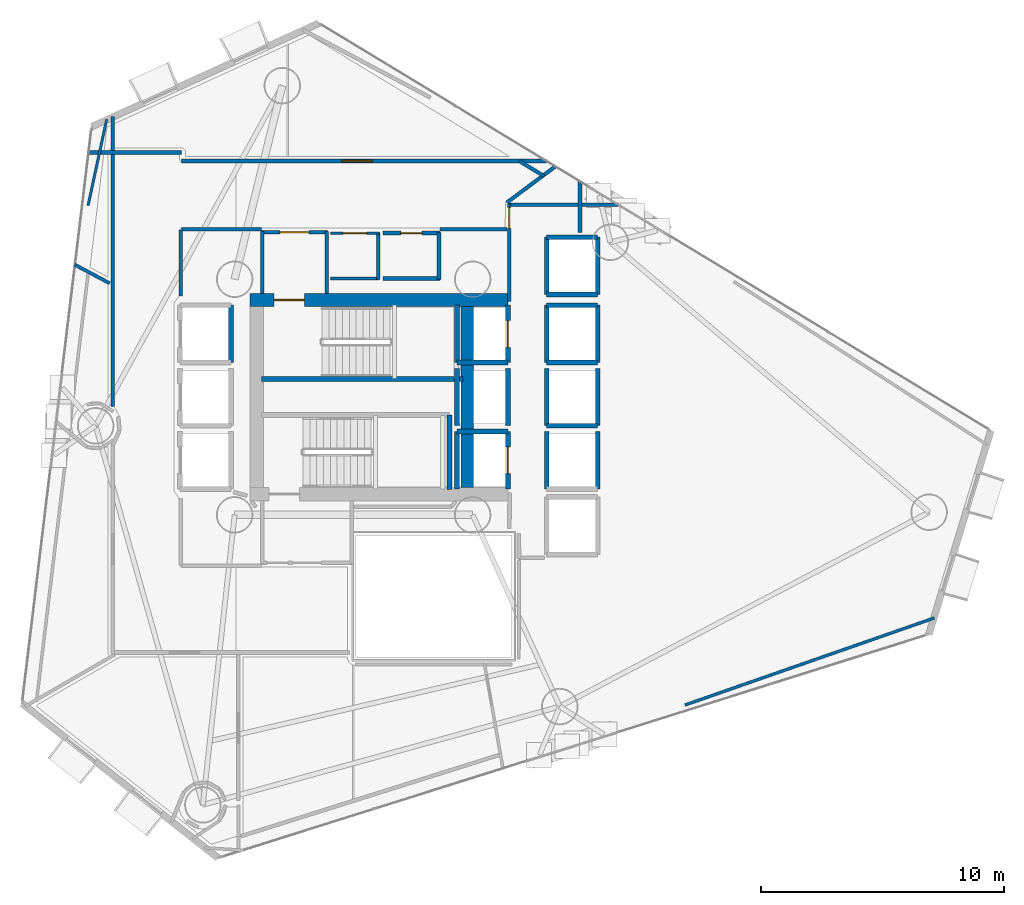
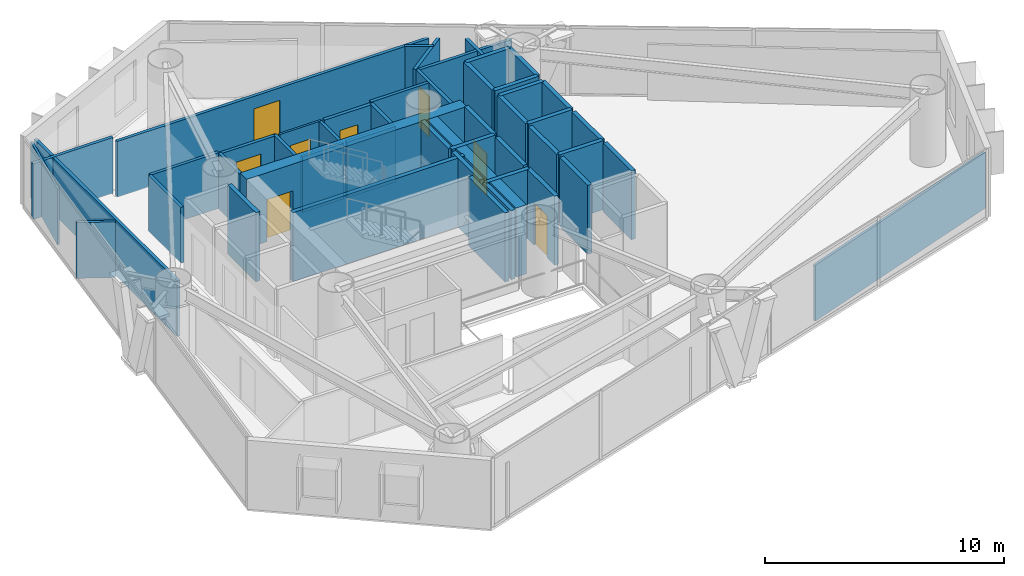
# One storey, part 15 of 18: 49 walls, 8 doors, 8 openings.
"""IFC4 building model written with IfcOpenShell, lengths in metres."""

from ifc_helpers import new_model, si_unit, direction, frame, frame_2d, origin, place, context, subcontext, project, spatial, rectangle, extrude, material, layer, layer_set, type_object, element, fill, save


model = new_model("IFC4")

# Units and contexts
model_context = context("Model", 3, precision=1e-05, world=origin(), true_north=direction((0.0, 1.0)))
body_context = subcontext(model_context, "Body", "Model", "MODEL_VIEW")
ifc_project = project(units=[si_unit("LENGTHUNIT", "METRE"), si_unit("AREAUNIT", "SQUARE_METRE"), si_unit("VOLUMEUNIT", "CUBIC_METRE"), si_unit("PLANEANGLEUNIT", "RADIAN"), si_unit("MASSUNIT", "GRAM", prefix="KILO")], contexts=[model_context])

# Site, building, storey
site_placement = place(None, origin())
site = spatial("IfcSite", under=ifc_project, at=site_placement, CompositionType="ELEMENT")
building_placement = place(site_placement, origin())
building = spatial("IfcBuilding", under=site, at=building_placement, Name="Qianvela Tower", CompositionType="ELEMENT")
storey_placement = place(building_placement, frame((0.0, 0.0, 116.300048828125)))
storey = spatial("IfcBuildingStorey", under=building, at=storey_placement, Name="L29", CompositionType="ELEMENT", Elevation=116.300048828125)

# Wall, opening, door
ifc_material_1 = material(Name="Concrete C60", Category="concrete")
ifc_layer_1 = layer(ifc_material_1, 0.550048828125)
ifc_layer_set_1 = layer_set([ifc_layer_1], Name="Concrete C60")
wall_type_1 = type_object("IfcWallType", Name="WT-CORE-550", PredefinedType="SHEAR", material=ifc_layer_set_1)
wall_1_placement = place(storey_placement, frame((29.22998046875, 32.695068359375, 0.0), z_axis=(0.0, 0.0, 1.0), x_axis=(1.0, 0.0, 0.0)))
wall_1 = element("IfcWall", 1, at=wall_1_placement, inside=storey, type_object=wall_type_1, Name="L29 North Core Shear Wall", PredefinedType="SHEAR", context=body_context, shape_type="SweptSolid", body=[
    extrude(rectangle(XDim=10.6201171875, YDim=0.550048828125, at=frame_2d((5.31005859375, 0.0))), origin(), (0.0, 0.0, 1.0), 3.52001953125),
])
opening_1_placement = place(wall_1_placement, frame((0.9951171875, 0.0, 0.0)))
opening_1 = element("IfcOpeningElement", 2, at=opening_1_placement, cuts=wall_1, Name="Opening D-ST1", PredefinedType="OPENING", context=body_context, shape_type="SweptSolid", body=[
    extrude(rectangle(XDim=1.25, YDim=2.14990234375, at=frame_2d((0.625, 1.074951171875))), frame((0.0, 0.284912109375, 0.0), z_axis=(0.0, -1.0, 0.0), x_axis=(1.0, 0.0, 0.0)), (0.0, 0.0, 1.0), 0.570068359375),
])
ifc_material_2 = material(Name="Galvanised Fire Steel Q355B", Category="steel")
door_type_1 = type_object("IfcDoorType", Name="DT-STAIR-FD90", OperationType="NOTDEFINED", PredefinedType="DOOR", material=ifc_material_2)
door_1_placement = place(opening_1_placement, origin())
door_1 = element("IfcDoor", 3, at=door_1_placement, inside=storey, type_object=door_type_1, Name="L29 Stair ST-1 Exit Door", OperationType="SINGLE_SWING_RIGHT", OverallHeight=2.14990234375, OverallWidth=1.25, PredefinedType="DOOR", context=body_context, shape_type="SweptSolid", body=[
    extrude(rectangle(XDim=1.25, YDim=2.14990234375, at=frame_2d((0.625, 1.074951171875))), frame((0.0, 0.02490234375, 0.0), z_axis=(0.0, -1.0, 0.0), x_axis=(1.0, 0.0, 0.0)), (0.0, 0.0, 1.0), 0.050048828125),
])
fill(opening_1, door_1)

# Walls
wall_2_placement = place(storey_placement, frame((38.179931640625, 24.97998046875, 0.0), z_axis=(0.0, 0.0, 1.0), x_axis=(0.0, 1.0, 0.0)))
element("IfcWall", 4, at=wall_2_placement, inside=storey, type_object=wall_type_1, Name="L29 East Spine Core Shear Wall", PredefinedType="SHEAR", context=body_context, shape_type="SweptSolid", body=[
    extrude(rectangle(XDim=7.43994140625, YDim=0.5, at=frame_2d((3.719970703125, 0.0))), origin(), (0.0, 0.0, 1.0), 3.52001953125),
])
ifc_material_3 = material(Name="Fire-Rated Acoustic Gypsum Board")
ifc_layer_2 = layer(ifc_material_3, 0.14990234375)
ifc_layer_set_2 = layer_set([ifc_layer_2], Name="Fire-Rated Acoustic Gypsum Board")
wall_type_2 = type_object("IfcWallType", Name="WT-CORR-150", PredefinedType="PARTITIONING", material=ifc_layer_set_2)
wall_3_placement = place(storey_placement, frame((29.73095703125, 32.9580078125, 0.0), z_axis=(0.0, 0.0, 1.0), x_axis=(0.0, 1.0, 0.0)))
element("IfcWall", 5, at=wall_3_placement, inside=storey, type_object=wall_type_2, Name="L29 Partition 2", PredefinedType="PARTITIONING", context=body_context, shape_type="SweptSolid", body=[
    extrude(rectangle(XDim=2.56201171875, YDim=0.14990234375, at=frame_2d((1.281005859375, 0.0))), origin(), (0.0, 0.0, 1.0), 2.83984375),
])

# Wall, opening, door
wall_4_placement = place(storey_placement, frame((29.699951171875, 35.489013671875, 0.0), z_axis=(0.0, 0.0, 1.0), x_axis=(1.0, 0.0, 0.0)))
wall_4 = element("IfcWall", 6, at=wall_4_placement, inside=storey, type_object=wall_type_2, Name="L29 Partition 3", PredefinedType="PARTITIONING", context=body_context, shape_type="SweptSolid", body=[
    extrude(rectangle(XDim=2.719970703125, YDim=0.14990234375, at=frame_2d((1.35986328125, 0.0))), origin(), (0.0, 0.0, 1.0), 2.83984375),
])
opening_2_placement = place(wall_4_placement, frame((0.760009765625, 0.0, 0.0)))
opening_2 = element("IfcOpeningElement", 7, at=opening_2_placement, cuts=wall_4, Name="Opening D-LB1", PredefinedType="OPENING", context=body_context, shape_type="SweptSolid", body=[
    extrude(rectangle(XDim=1.199951171875, YDim=2.14990234375, at=frame_2d((0.60009765625, 1.074951171875))), frame((0.0, 0.0849609375, 0.0), z_axis=(0.0, -1.0, 0.0), x_axis=(1.0, 0.0, 0.0)), (0.0, 0.0, 1.0), 0.169921875),
])
ifc_material_4 = material(Name="Glazed Fire-Rated Steel Frame", Category="steel")
door_type_2 = type_object("IfcDoorType", Name="DT-LOBBY-FD90", OperationType="NOTDEFINED", PredefinedType="DOOR", material=ifc_material_4)
door_2_placement = place(opening_2_placement, origin())
door_2 = element("IfcDoor", 8, at=door_2_placement, inside=storey, type_object=door_type_2, Name="L29 Door L29 Firefighting Lobby North to L29 Floor Corridor", OperationType="SINGLE_SWING_LEFT", OverallHeight=2.14990234375, OverallWidth=1.199951171875, PredefinedType="DOOR", context=body_context, shape_type="SweptSolid", body=[
    extrude(rectangle(XDim=1.199951171875, YDim=2.14990234375, at=frame_2d((0.60009765625, 1.074951171875))), frame((0.0, 0.02490234375, 0.0), z_axis=(0.0, -1.0, 0.0), x_axis=(1.0, 0.0, 0.0)), (0.0, 0.0, 1.0), 0.050048828125),
])
fill(opening_2, door_2)

# Wall
wall_5_placement = place(storey_placement, frame((32.388916015625, 35.52001953125, 0.0), z_axis=(0.0, 0.0, 1.0), x_axis=(0.0, -1.0, 0.0)))
element("IfcWall", 9, at=wall_5_placement, inside=storey, type_object=wall_type_2, Name="L29 Partition 4", PredefinedType="PARTITIONING", context=body_context, shape_type="SweptSolid", body=[
    extrude(rectangle(XDim=2.56201171875, YDim=0.14990234375, at=frame_2d((1.281005859375, 0.0))), origin(), (0.0, 0.0, 1.0), 2.83984375),
])

# Wall, opening, door
wall_6_placement = place(storey_placement, frame((39.910888671875, 32.639892578125, 0.0), z_axis=(0.0, 0.0, 1.0), x_axis=(0.0, 1.0, 0.0)))
wall_6 = element("IfcWall", 10, at=wall_6_placement, inside=storey, type_object=wall_type_2, Name="L29 Partition 10", PredefinedType="PARTITIONING", context=body_context, shape_type="SweptSolid", body=[
    extrude(rectangle(XDim=4.010009765625, YDim=0.14990234375, at=frame_2d((2.0048828125, 0.0))), origin(), (0.0, 0.0, 1.0), 2.83984375),
])
opening_3_placement = place(wall_6_placement, frame((3.010009765625, 0.0, 0.0)))
opening_3 = element("IfcOpeningElement", 11, at=opening_3_placement, cuts=wall_6, Name="Opening D-LB2", PredefinedType="OPENING", context=body_context, shape_type="SweptSolid", body=[
    extrude(rectangle(XDim=0.860107421875, YDim=2.050048828125, at=frame_2d((0.43017578125, 1.02490234375))), frame((0.0, 0.0849609375, 0.0), z_axis=(0.0, -1.0, 0.0), x_axis=(1.0, 0.0, 0.0)), (0.0, 0.0, 1.0), 0.169921875),
])
ifc_material_5 = material(Name="Insulated Steel Fire Door Q355B", Category="steel")
door_type_3 = type_object("IfcDoorType", Name="DT-LOBBY-FD90-860", OperationType="NOTDEFINED", PredefinedType="DOOR", material=ifc_material_5)
door_3_placement = place(opening_3_placement, origin())
door_3 = element("IfcDoor", 12, at=door_3_placement, inside=storey, type_object=door_type_3, Name="L29 Door L29 Lift Lobby to L29 Floor Corridor", OperationType="SINGLE_SWING_LEFT", OverallHeight=2.050048828125, OverallWidth=0.860107421875, PredefinedType="DOOR", context=body_context, shape_type="SweptSolid", body=[
    extrude(rectangle(XDim=0.860107421875, YDim=2.050048828125, at=frame_2d((0.43017578125, 1.02490234375))), frame((0.0, 0.02490234375, 0.0), z_axis=(0.0, -1.0, 0.0), x_axis=(1.0, 0.0, 0.0)), (0.0, 0.0, 1.0), 0.050048828125),
])
fill(opening_3, door_3)

# Walls
wall_7_placement = place(storey_placement, frame((39.8798828125, 36.618896484375, 0.0), z_axis=(0.0, 0.0, 1.0), x_axis=(1.0, 0.0, 0.0)))
element("IfcWall", 13, at=wall_7_placement, inside=storey, type_object=wall_type_2, Name="L29 Partition 11", PredefinedType="PARTITIONING", context=body_context, shape_type="SweptSolid", body=[
    extrude(rectangle(XDim=4.533447265625, YDim=0.14990234375, at=frame_2d((2.2666015625, 0.0))), origin(), (0.0, 0.0, 1.0), 2.83984375),
])
wall_8_placement = place(storey_placement, frame((42.819091796875, 37.59375, 0.0), z_axis=(0.0, 0.0, 1.0), x_axis=(0.0, -1.0, 0.0)))
element("IfcWall", 14, at=wall_8_placement, inside=storey, type_object=wall_type_2, Name="L29 Partition 12", PredefinedType="PARTITIONING", context=body_context, shape_type="SweptSolid", body=[
    extrude(rectangle(XDim=2.11376953125, YDim=0.14990234375, at=frame_2d((1.056884765625, 0.0))), origin(), (0.0, 0.0, 1.0), 2.83984375),
])
wall_9_placement = place(storey_placement, frame((23.5810546875, 28.306640625, 0.0), z_axis=(0.0, 0.0, 1.0), x_axis=(0.0, 1.0, 0.0)))
element("IfcWall", 15, at=wall_9_placement, inside=storey, type_object=wall_type_2, Name="L29 Partition 40", PredefinedType="PARTITIONING", context=body_context, shape_type="SweptSolid", body=[
    extrude(rectangle(XDim=11.9443359375, YDim=0.14990234375, at=frame_2d((5.97216796875, 0.0))), origin(), (0.0, 0.0, 1.0), 2.83984375),
])
wall_10_placement = place(storey_placement, frame((22.568603515625, 38.76904296875, 0.0), z_axis=(0.0, 0.0, 1.0), x_axis=(1.0, 0.0, 0.0)))
element("IfcWall", 16, at=wall_10_placement, inside=storey, type_object=wall_type_2, Name="L29 Partition 41", PredefinedType="PARTITIONING", context=body_context, shape_type="SweptSolid", body=[
    extrude(rectangle(XDim=3.851318359375, YDim=0.14990234375, at=frame_2d((1.92578125, 0.0))), origin(), (0.0, 0.0, 1.0), 2.83984375),
])

# Wall, opening, door
wall_11_placement = place(storey_placement, frame((26.419921875, 38.4189453125, 0.0), z_axis=(0.0, 0.0, 1.0), x_axis=(1.0, 0.0, 0.0)))
wall_11 = element("IfcWall", 17, at=wall_11_placement, inside=storey, type_object=wall_type_2, Name="L29 Partition 42", PredefinedType="PARTITIONING", context=body_context, shape_type="SweptSolid", body=[
    extrude(rectangle(XDim=15.025146484375, YDim=0.14990234375, at=frame_2d((7.5126953125, 0.0))), origin(), (0.0, 0.0, 1.0), 2.83984375),
])
opening_4_placement = place(wall_11_placement, frame((6.5966796875, 0.0, 0.0)))
opening_4 = element("IfcOpeningElement", 18, at=opening_4_placement, cuts=wall_11, Name="Opening D-LG1", PredefinedType="OPENING", context=body_context, shape_type="SweptSolid", body=[
    extrude(rectangle(XDim=1.25, YDim=2.199951171875, at=frame_2d((0.625, 1.10009765625))), frame((0.0, 0.0849609375, 0.0), z_axis=(0.0, -1.0, 0.0), x_axis=(1.0, 0.0, 0.0)), (0.0, 0.0, 1.0), 0.169921875),
])
ifc_material_6 = material(Name="Anodised Aluminium Acoustic Glass Door", Category="aluminium")
door_type_4 = type_object("IfcDoorType", Name="DT-LOUNGE-1250", OperationType="NOTDEFINED", PredefinedType="DOOR", material=ifc_material_6)
door_4_placement = place(opening_4_placement, origin())
door_4 = element("IfcDoor", 19, at=door_4_placement, inside=storey, type_object=door_type_4, Name="L29 Door Commons Day Lounge L29-05 to L29 Floor Corridor", OperationType="SINGLE_SWING_LEFT", OverallHeight=2.199951171875, OverallWidth=1.25, PredefinedType="DOOR", context=body_context, shape_type="SweptSolid", body=[
    extrude(rectangle(XDim=1.25, YDim=2.199951171875, at=frame_2d((0.625, 1.10009765625))), frame((0.0, 0.02490234375, 0.0), z_axis=(0.0, -1.0, 0.0), x_axis=(1.0, 0.0, 0.0)), (0.0, 0.0, 1.0), 0.050048828125),
])
fill(opening_4, door_4)

# Walls
wall_12_placement = place(storey_placement, frame((40.306884765625, 38.423583984375, 0.0), z_axis=(0.0, 0.0, 1.0), x_axis=(0.855008040292, -0.518614742401, 0.0)))
element("IfcWall", 20, at=wall_12_placement, inside=storey, type_object=wall_type_2, Name="L29 Partition 43", PredefinedType="PARTITIONING", context=body_context, shape_type="SweptSolid", body=[
    extrude(rectangle(XDim=1.2099609375, YDim=0.14990234375, at=frame_2d((0.60498046875, 0.0))), origin(), (0.0, 0.0, 1.0), 2.83984375),
])
wall_13_placement = place(storey_placement, frame((41.81640625, 38.203369140625, 0.0), z_axis=(0.0, 0.0, 1.0), x_axis=(-0.802067975303, -0.597232754454, 0.0)))
element("IfcWall", 21, at=wall_13_placement, inside=storey, type_object=wall_type_2, Name="L29 Partition 44", PredefinedType="PARTITIONING", context=body_context, shape_type="SweptSolid", body=[
    extrude(rectangle(XDim=2.501708984375, YDim=0.14990234375, at=frame_2d((1.2509765625, 0.0))), origin(), (0.0, 0.0, 1.0), 2.83984375),
])
wall_14_placement = place(storey_placement, frame((39.818115234375, 35.611083984375, 0.0), z_axis=(0.0, 0.0, 1.0), x_axis=(-1.0, 0.0, 0.0)))
element("IfcWall", 22, at=wall_14_placement, inside=storey, type_object=wall_type_2, Name="L29 Partition 46 seg 1", PredefinedType="PARTITIONING", context=body_context, shape_type="SweptSolid", body=[
    extrude(rectangle(XDim=2.76806640625, YDim=0.14990234375, at=frame_2d((1.384033203125, 0.0))), origin(), (0.0, 0.0, 1.0), 2.83984375),
])
wall_15_placement = place(storey_placement, frame((29.699951171875, 35.611083984375, 0.0), z_axis=(0.0, 0.0, 1.0), x_axis=(-1.0, 0.0, 0.0)))
element("IfcWall", 23, at=wall_15_placement, inside=storey, type_object=wall_type_2, Name="L29 Partition 46 seg 4", PredefinedType="PARTITIONING", context=body_context, shape_type="SweptSolid", body=[
    extrude(rectangle(XDim=3.280029296875, YDim=0.14990234375, at=frame_2d((1.64013671875, 0.0))), origin(), (0.0, 0.0, 1.0), 2.83984375),
])
wall_16_placement = place(storey_placement, frame((26.388916015625, 35.580078125, 0.0), z_axis=(0.0, 0.0, 1.0), x_axis=(0.0, -1.0, 0.0)))
element("IfcWall", 24, at=wall_16_placement, inside=storey, type_object=wall_type_2, Name="L29 Partition 47", PredefinedType="PARTITIONING", context=body_context, shape_type="SweptSolid", body=[
    extrude(rectangle(XDim=2.71044921875, YDim=0.14990234375, at=frame_2d((1.355224609375, 0.0))), origin(), (0.0, 0.0, 1.0), 2.83984375),
])

# Wall, opening, door
ifc_material_7 = material(Name="Lightweight Gypsum Room Partition")
ifc_layer_3 = layer(ifc_material_7, 0.10498046875)
ifc_layer_set_3 = layer_set([ifc_layer_3], Name="Lightweight Gypsum Room Partition")
wall_type_3 = type_object("IfcWallType", Name="WT-PART-105", PredefinedType="PARTITIONING", material=ifc_layer_set_3)
wall_17_placement = place(storey_placement, frame((32.550048828125, 35.448974609375, 0.0), z_axis=(0.0, 0.0, 1.0), x_axis=(1.0, 0.0, 0.0)))
wall_17 = element("IfcWall", 25, at=wall_17_placement, inside=storey, type_object=wall_type_3, Name="L29 Partition 20", PredefinedType="PARTITIONING", context=body_context, shape_type="SweptSolid", body=[
    extrude(rectangle(XDim=2.0, YDim=0.10498046875, at=frame_2d((1.0, 0.0))), origin(), (0.0, 0.0, 1.0), 2.83984375),
])
opening_5_placement = place(wall_17_placement, frame((0.510009765625, 0.0, 0.0)))
opening_5 = element("IfcOpeningElement", 26, at=opening_5_placement, cuts=wall_17, Name="Opening D-RM1", PredefinedType="OPENING", context=body_context, shape_type="SweptSolid", body=[
    extrude(rectangle(XDim=0.97998046875, YDim=2.10009765625, at=frame_2d((0.489990234375, 1.050048828125))), frame((0.0, 0.0625, 0.0), z_axis=(0.0, -1.0, 0.0), x_axis=(1.0, 0.0, 0.0)), (0.0, 0.0, 1.0), 0.125),
])
ifc_material_8 = material(Name="Solid Core Acoustic Timber Fire Door", Category="wood")
door_type_5 = type_object("IfcDoorType", Name="DT-ROOM-FD60", OperationType="NOTDEFINED", PredefinedType="DOOR", material=ifc_material_8)
door_5_placement = place(opening_5_placement, origin())
door_5 = element("IfcDoor", 27, at=door_5_placement, inside=storey, type_object=door_type_5, Name="L29 Door L29 Cleaner Store to L29 Floor Corridor", OperationType="SINGLE_SWING_RIGHT", OverallHeight=2.10009765625, OverallWidth=0.97998046875, PredefinedType="DOOR", context=body_context, shape_type="SweptSolid", body=[
    extrude(rectangle(XDim=0.97998046875, YDim=2.10009765625, at=frame_2d((0.489990234375, 1.050048828125))), frame((0.0, 0.02490234375, 0.0), z_axis=(0.0, -1.0, 0.0), x_axis=(1.0, 0.0, 0.0)), (0.0, 0.0, 1.0), 0.050048828125),
])
fill(opening_5, door_5)

# Walls
wall_18_placement = place(storey_placement, frame((22.5673828125, 36.589599609375, 0.0), z_axis=(0.0, 0.0, 1.0), x_axis=(0.211164306242, 0.977450579707, 0.0)))
element("IfcWall", 28, at=wall_18_placement, inside=storey, type_object=wall_type_3, Name="L29 Partition 113 seg 1", PredefinedType="PARTITIONING", context=body_context, shape_type="SweptSolid", body=[
    extrude(rectangle(XDim=3.629150390625, YDim=0.10498046875, at=frame_2d((1.814453125, 0.0))), origin(), (0.0, 0.0, 1.0), 2.83984375),
])
ifc_material_9 = material(Name="Insulated Gypsum Stud Partition")
ifc_layer_4 = layer(ifc_material_9, 0.1201171875)
ifc_layer_set_4 = layer_set([ifc_layer_4], Name="Insulated Gypsum Stud Partition")
wall_type_4 = type_object("IfcWallType", Name="WT-PART-120", PredefinedType="PARTITIONING", material=ifc_layer_set_4)
wall_19_placement = place(storey_placement, frame((57.4130859375, 19.605712890625, 0.0), z_axis=(0.0, 0.0, 1.0), x_axis=(-0.94413021174, -0.329572667677, 0.0)))
element("IfcWall", 29, at=wall_19_placement, inside=storey, type_object=wall_type_4, Name="L29 Partition 100 seg 1", PredefinedType="PARTITIONING", context=body_context, shape_type="SweptSolid", body=[
    extrude(rectangle(XDim=10.8798828125, YDim=0.1201171875, at=frame_2d((5.43994140625, 0.0))), origin(), (0.0, 0.0, 1.0), 2.83984375),
])
ifc_material_10 = material(Name="Sanitary Service Chase Partition")
ifc_layer_5 = layer(ifc_material_10, 0.1650390625)
ifc_layer_set_5 = layer_set([ifc_layer_5], Name="Sanitary Service Chase Partition")
wall_type_5 = type_object("IfcWallType", Name="WT-PLUMB-165", PredefinedType="PLUMBINGWALL", material=ifc_layer_set_5)
wall_20_placement = place(storey_placement, frame((37.050048828125, 33.5810546875, 0.0), z_axis=(0.0, 0.0, 1.0), x_axis=(-1.0, 0.0, 0.0)))
element("IfcWall", 30, at=wall_20_placement, inside=storey, type_object=wall_type_5, Name="L29 Partition 22", PredefinedType="PLUMBINGWALL", context=body_context, shape_type="SweptSolid", body=[
    extrude(rectangle(XDim=2.35009765625, YDim=0.1650390625, at=frame_2d((1.175048828125, 0.0))), origin(), (0.0, 0.0, 1.0), 2.83984375),
])

# Wall, opening, door
wall_21_placement = place(storey_placement, frame((34.699951171875, 35.448974609375, 0.0), z_axis=(0.0, 0.0, 1.0), x_axis=(1.0, 0.0, 0.0)))
wall_21 = element("IfcWall", 31, at=wall_21_placement, inside=storey, type_object=wall_type_5, Name="L29 Partition 24", PredefinedType="PLUMBINGWALL", context=body_context, shape_type="SweptSolid", body=[
    extrude(rectangle(XDim=2.35009765625, YDim=0.1650390625, at=frame_2d((1.175048828125, 0.0))), origin(), (0.0, 0.0, 1.0), 2.83984375),
])
opening_6_placement = place(wall_21_placement, frame((0.7451171875, 0.0, 0.0)))
opening_6 = element("IfcOpeningElement", 32, at=opening_6_placement, cuts=wall_21, Name="Opening D-WC1", PredefinedType="OPENING", context=body_context, shape_type="SweptSolid", body=[
    extrude(rectangle(XDim=0.860107421875, YDim=2.050048828125, at=frame_2d((0.43017578125, 1.02490234375))), frame((0.0, 0.092529296875, 0.0), z_axis=(0.0, -1.0, 0.0), x_axis=(1.0, 0.0, 0.0)), (0.0, 0.0, 1.0), 0.18505859375),
])
ifc_material_11 = material(Name="Moisture-Sealed Acoustic Timber Door", Category="wood")
door_type_6 = type_object("IfcDoorType", Name="DT-WC-860", OperationType="NOTDEFINED", PredefinedType="DOOR", material=ifc_material_11)
door_6_placement = place(opening_6_placement, origin())
door_6 = element("IfcDoor", 33, at=door_6_placement, inside=storey, type_object=door_type_6, Name="L29 Door L29 Accessible WC to L29 Floor Corridor", OperationType="SINGLE_SWING_LEFT", OverallHeight=2.050048828125, OverallWidth=0.860107421875, PredefinedType="DOOR", context=body_context, shape_type="SweptSolid", body=[
    extrude(rectangle(XDim=0.860107421875, YDim=2.050048828125, at=frame_2d((0.43017578125, 1.02490234375))), frame((0.0, 0.02490234375, 0.0), z_axis=(0.0, -1.0, 0.0), x_axis=(1.0, 0.0, 0.0)), (0.0, 0.0, 1.0), 0.050048828125),
])
fill(opening_6, door_6)

# Walls
wall_22_placement = place(storey_placement, frame((37.01904296875, 35.47998046875, 0.0), z_axis=(0.0, 0.0, 1.0), x_axis=(0.0, -1.0, 0.0)))
element("IfcWall", 34, at=wall_22_placement, inside=storey, type_object=wall_type_5, Name="L29 Partition 25", PredefinedType="PLUMBINGWALL", context=body_context, shape_type="SweptSolid", body=[
    extrude(rectangle(XDim=1.929931640625, YDim=0.1650390625, at=frame_2d((0.96484375, 0.0))), origin(), (0.0, 0.0, 1.0), 2.83984375),
])
ifc_material_12 = material(Name="Acoustic Double Gypsum Stud Partition")
ifc_layer_6 = layer(ifc_material_12, 0.139892578125)
ifc_layer_set_6 = layer_set([ifc_layer_6], Name="Acoustic Double Gypsum Stud Partition")
wall_type_6 = type_object("IfcWallType", Name="WT-ROOM-140", PredefinedType="PARTITIONING", material=ifc_layer_set_6)
wall_23_placement = place(storey_placement, frame((34.550048828125, 33.5810546875, 0.0), z_axis=(0.0, 0.0, 1.0), x_axis=(-1.0, 0.0, 0.0)))
element("IfcWall", 35, at=wall_23_placement, inside=storey, type_object=wall_type_6, Name="L29 Partition 18", PredefinedType="PARTITIONING", context=body_context, shape_type="SweptSolid", body=[
    extrude(rectangle(XDim=2.0, YDim=0.139892578125, at=frame_2d((1.0, 0.0))), origin(), (0.0, 0.0, 1.0), 2.83984375),
])
wall_24_placement = place(storey_placement, frame((34.51904296875, 35.47998046875, 0.0), z_axis=(0.0, 0.0, 1.0), x_axis=(0.0, -1.0, 0.0)))
element("IfcWall", 36, at=wall_24_placement, inside=storey, type_object=wall_type_6, Name="L29 Partition 21", PredefinedType="PARTITIONING", context=body_context, shape_type="SweptSolid", body=[
    extrude(rectangle(XDim=1.929931640625, YDim=0.139892578125, at=frame_2d((0.96484375, 0.0))), origin(), (0.0, 0.0, 1.0), 2.83984375),
])
wall_25_placement = place(storey_placement, frame((22.0126953125, 34.152099609375, 0.0), z_axis=(0.0, 0.0, 1.0), x_axis=(0.882939604617, -0.469486586175, 0.0)))
element("IfcWall", 37, at=wall_25_placement, inside=storey, type_object=wall_type_6, Name="L29 Partition 66", PredefinedType="PARTITIONING", context=body_context, shape_type="SweptSolid", body=[
    extrude(rectangle(XDim=1.6337890625, YDim=0.139892578125, at=frame_2d((0.81689453125, 0.0))), origin(), (0.0, 0.0, 1.0), 2.83984375),
])
ifc_material_13 = material(Name="Concrete C50", Category="concrete")
ifc_layer_7 = layer(ifc_material_13, 0.199951171875)
ifc_layer_set_7 = layer_set([ifc_layer_7], Name="Concrete C50")
wall_type_7 = type_object("IfcWallType", Name="WT-SHAFT-200", PredefinedType="SOLIDWALL", material=ifc_layer_set_7)
wall_26_placement = place(storey_placement, frame((29.699951171875, 29.449951171875, 0.0), z_axis=(0.0, 0.0, 1.0), x_axis=(1.0, 0.0, 0.0)))
element("IfcWall", 38, at=wall_26_placement, inside=storey, type_object=wall_type_7, Name="L29 Stair ST-1 South Wall", PredefinedType="SOLIDWALL", context=body_context, shape_type="SweptSolid", body=[
    extrude(rectangle(XDim=8.300048828125, YDim=0.199951171875, at=frame_2d((4.14990234375, 0.0))), origin(), (0.0, 0.0, 1.0), 3.52001953125),
])
wall_27_placement = place(storey_placement, frame((37.449951171875, 24.89990234375, 0.0), z_axis=(0.0, 0.0, 1.0), x_axis=(0.0, 1.0, 0.0)))
element("IfcWall", 39, at=wall_27_placement, inside=storey, type_object=wall_type_7, Name="L29 Stair ST-2 East Wall", PredefinedType="SOLIDWALL", context=body_context, shape_type="SweptSolid", body=[
    extrude(rectangle(XDim=3.06005859375, YDim=0.199951171875, at=frame_2d((1.530029296875, 0.0))), origin(), (0.0, 0.0, 1.0), 3.52001953125),
])

# Wall, opening, door
wall_28_placement = place(storey_placement, frame((39.85009765625, 30.1201171875, 0.0), z_axis=(0.0, 0.0, 1.0), x_axis=(0.0, 1.0, 0.0)))
wall_28 = element("IfcWall", 40, at=wall_28_placement, inside=storey, type_object=wall_type_7, Name="L29 Lift FL-1 E Shaft Wall", PredefinedType="SOLIDWALL", context=body_context, shape_type="SweptSolid", body=[
    extrude(rectangle(XDim=2.35986328125, YDim=0.199951171875, at=frame_2d((1.179931640625, 0.0))), origin(), (0.0, 0.0, 1.0), 3.52001953125),
])
opening_7_placement = place(wall_28_placement, frame((0.6298828125, 0.0, 0.0)))
opening_7 = element("IfcOpeningElement", 41, at=opening_7_placement, cuts=wall_28, Name="Opening LD-01", PredefinedType="OPENING", context=body_context, shape_type="SweptSolid", body=[
    extrude(rectangle(XDim=1.10009765625, YDim=2.14990234375, at=frame_2d((0.550048828125, 1.074951171875))), frame((0.0, 0.10986328125, 0.0), z_axis=(0.0, -1.0, 0.0), x_axis=(1.0, 0.0, 0.0)), (0.0, 0.0, 1.0), 0.219970703125),
])
ifc_material_14 = material(Name="Brushed Stainless Steel Lift Landing Door", Category="steel")
door_type_7 = type_object("IfcDoorType", Name="DT-LIFT-SLIDE-1100", OperationType="SLIDING_TO_LEFT", PredefinedType="DOOR", material=ifc_material_14)
door_7_placement = place(opening_7_placement, origin())
door_7 = element("IfcDoor", 42, at=door_7_placement, inside=storey, type_object=door_type_7, Name="L29 Lift FL-1 Sliding Landing Door", OperationType="SLIDING_TO_LEFT", OverallHeight=2.14990234375, OverallWidth=1.10009765625, PredefinedType="DOOR", context=body_context, shape_type="SweptSolid", body=[
    extrude(rectangle(XDim=1.10009765625, YDim=2.14990234375, at=frame_2d((0.550048828125, 1.074951171875))), frame((0.0, 0.02490234375, 0.0), z_axis=(0.0, -1.0, 0.0), x_axis=(1.0, 0.0, 0.0)), (0.0, 0.0, 1.0), 0.050048828125),
])
fill(opening_7, door_7)

# Walls
wall_29_placement = place(storey_placement, frame((37.75, 30.1201171875, 0.0), z_axis=(0.0, 0.0, 1.0), x_axis=(0.0, 1.0, 0.0)))
element("IfcWall", 43, at=wall_29_placement, inside=storey, type_object=wall_type_7, Name="L29 Lift FL-1 W Shaft Wall", PredefinedType="SOLIDWALL", context=body_context, shape_type="SweptSolid", body=[
    extrude(rectangle(XDim=2.35986328125, YDim=0.199951171875, at=frame_2d((1.179931640625, 0.0))), origin(), (0.0, 0.0, 1.0), 3.52001953125),
])
wall_30_placement = place(storey_placement, frame((37.75, 30.1201171875, 0.0), z_axis=(0.0, 0.0, 1.0), x_axis=(1.0, 0.0, 0.0)))
element("IfcWall", 44, at=wall_30_placement, inside=storey, type_object=wall_type_7, Name="L29 Lift FL-1 S Shaft Wall", PredefinedType="SOLIDWALL", context=body_context, shape_type="SweptSolid", body=[
    extrude(rectangle(XDim=2.10009765625, YDim=0.199951171875, at=frame_2d((1.050048828125, 0.0))), origin(), (0.0, 0.0, 1.0), 3.52001953125),
])

# Wall, opening, door
wall_31_placement = place(storey_placement, frame((39.85009765625, 24.919921875, 0.0), z_axis=(0.0, 0.0, 1.0), x_axis=(0.0, 1.0, 0.0)))
wall_31 = element("IfcWall", 45, at=wall_31_placement, inside=storey, type_object=wall_type_7, Name="L29 Lift FL-2 E Shaft Wall", PredefinedType="SOLIDWALL", context=body_context, shape_type="SweptSolid", body=[
    extrude(rectangle(XDim=2.360107421875, YDim=0.199951171875, at=frame_2d((1.18017578125, 0.0))), origin(), (0.0, 0.0, 1.0), 3.52001953125),
])
opening_8_placement = place(wall_31_placement, frame((0.6298828125, 0.0, 0.0)))
opening_8 = element("IfcOpeningElement", 46, at=opening_8_placement, cuts=wall_31, Name="Opening LD-01", PredefinedType="OPENING", context=body_context, shape_type="SweptSolid", body=[
    extrude(rectangle(XDim=1.10009765625, YDim=2.14990234375, at=frame_2d((0.550048828125, 1.074951171875))), frame((0.0, 0.10986328125, 0.0), z_axis=(0.0, -1.0, 0.0), x_axis=(1.0, 0.0, 0.0)), (0.0, 0.0, 1.0), 0.219970703125),
])
door_8_placement = place(opening_8_placement, origin())
door_8 = element("IfcDoor", 47, at=door_8_placement, inside=storey, type_object=door_type_7, Name="L29 Lift FL-2 Sliding Landing Door", OperationType="SLIDING_TO_LEFT", OverallHeight=2.14990234375, OverallWidth=1.10009765625, PredefinedType="DOOR", context=body_context, shape_type="SweptSolid", body=[
    extrude(rectangle(XDim=1.10009765625, YDim=2.14990234375, at=frame_2d((0.550048828125, 1.074951171875))), frame((0.0, 0.02490234375, 0.0), z_axis=(0.0, -1.0, 0.0), x_axis=(1.0, 0.0, 0.0)), (0.0, 0.0, 1.0), 0.050048828125),
])
fill(opening_8, door_8)

# Walls
wall_32_placement = place(storey_placement, frame((37.75, 24.919921875, 0.0), z_axis=(0.0, 0.0, 1.0), x_axis=(0.0, 1.0, 0.0)))
element("IfcWall", 48, at=wall_32_placement, inside=storey, type_object=wall_type_7, Name="L29 Lift FL-2 W Shaft Wall", PredefinedType="SOLIDWALL", context=body_context, shape_type="SweptSolid", body=[
    extrude(rectangle(XDim=2.360107421875, YDim=0.199951171875, at=frame_2d((1.18017578125, 0.0))), origin(), (0.0, 0.0, 1.0), 3.52001953125),
])
wall_33_placement = place(storey_placement, frame((37.75, 27.280029296875, 0.0), z_axis=(0.0, 0.0, 1.0), x_axis=(1.0, 0.0, 0.0)))
element("IfcWall", 49, at=wall_33_placement, inside=storey, type_object=wall_type_7, Name="L29 Lift FL-2 N Shaft Wall", PredefinedType="SOLIDWALL", context=body_context, shape_type="SweptSolid", body=[
    extrude(rectangle(XDim=2.10009765625, YDim=0.199951171875, at=frame_2d((1.050048828125, 0.0))), origin(), (0.0, 0.0, 1.0), 3.52001953125),
])
for number, where, z_axis, x_axis, name in (
    (50, (28.449951171875, 30.1201171875, 0.0), (0.0, 0.0, 1.0), (0.0, 1.0, 0.0), "L29 Lift PL-L1 E Shaft Wall"),
    (51, (43.550048828125, 30.1201171875, 0.0), (0.0, 0.0, 1.0), (0.0, 1.0, 0.0), "L29 Lift PL-M1 E Shaft Wall"),
    (52, (41.449951171875, 30.1201171875, 0.0), (0.0, 0.0, 1.0), (0.0, 1.0, 0.0), "L29 Lift PL-M1 W Shaft Wall"),
):
    element("IfcWall", number, at=place(storey_placement, frame(where, z_axis=z_axis, x_axis=x_axis)), inside=storey, type_object=wall_type_7, Name=name, PredefinedType="SOLIDWALL", context=body_context, shape_type="SweptSolid", body=[
        extrude(rectangle(XDim=2.35986328125, YDim=0.199951171875, at=frame_2d((1.179931640625, 0.0))), origin(), (0.0, 0.0, 1.0), 3.52001953125),
    ])
for number, where, z_axis, x_axis, name in (
    (53, (41.449951171875, 32.47998046875, 0.0), (0.0, 0.0, 1.0), (1.0, 0.0, 0.0), "L29 Lift PL-M1 N Shaft Wall"),
    (54, (41.449951171875, 30.1201171875, 0.0), (0.0, 0.0, 1.0), (1.0, 0.0, 0.0), "L29 Lift PL-M1 S Shaft Wall"),
):
    element("IfcWall", number, at=place(storey_placement, frame(where, z_axis=z_axis, x_axis=x_axis)), inside=storey, type_object=wall_type_7, Name=name, PredefinedType="SOLIDWALL", context=body_context, shape_type="SweptSolid", body=[
        extrude(rectangle(XDim=2.10009765625, YDim=0.199951171875, at=frame_2d((1.050048828125, 0.0))), origin(), (0.0, 0.0, 1.0), 3.52001953125),
    ])
for number, where, z_axis, x_axis, name in (
    (55, (43.550048828125, 27.52001953125, 0.0), (0.0, 0.0, 1.0), (0.0, 1.0, 0.0), "L29 Lift PL-M2 E Shaft Wall"),
    (56, (41.449951171875, 27.52001953125, 0.0), (0.0, 0.0, 1.0), (0.0, 1.0, 0.0), "L29 Lift PL-M2 W Shaft Wall"),
):
    element("IfcWall", number, at=place(storey_placement, frame(where, z_axis=z_axis, x_axis=x_axis)), inside=storey, type_object=wall_type_7, Name=name, PredefinedType="SOLIDWALL", context=body_context, shape_type="SweptSolid", body=[
        extrude(rectangle(XDim=2.35986328125, YDim=0.199951171875, at=frame_2d((1.179931640625, 0.0))), origin(), (0.0, 0.0, 1.0), 3.52001953125),
    ])
wall_34_placement = place(storey_placement, frame((41.449951171875, 27.52001953125, 0.0), z_axis=(0.0, 0.0, 1.0), x_axis=(1.0, 0.0, 0.0)))
element("IfcWall", 57, at=wall_34_placement, inside=storey, type_object=wall_type_7, Name="L29 Lift PL-M2 S Shaft Wall", PredefinedType="SOLIDWALL", context=body_context, shape_type="SweptSolid", body=[
    extrude(rectangle(XDim=2.10009765625, YDim=0.199951171875, at=frame_2d((1.050048828125, 0.0))), origin(), (0.0, 0.0, 1.0), 3.52001953125),
])
for number, where, z_axis, x_axis, name in (
    (58, (43.550048828125, 24.919921875, 0.0), (0.0, 0.0, 1.0), (0.0, 1.0, 0.0), "L29 Lift PL-M3 E Shaft Wall"),
    (59, (41.449951171875, 24.919921875, 0.0), (0.0, 0.0, 1.0), (0.0, 1.0, 0.0), "L29 Lift PL-M3 W Shaft Wall"),
):
    element("IfcWall", number, at=place(storey_placement, frame(where, z_axis=z_axis, x_axis=x_axis)), inside=storey, type_object=wall_type_7, Name=name, PredefinedType="SOLIDWALL", context=body_context, shape_type="SweptSolid", body=[
        extrude(rectangle(XDim=2.360107421875, YDim=0.199951171875, at=frame_2d((1.18017578125, 0.0))), origin(), (0.0, 0.0, 1.0), 3.52001953125),
    ])
for number, where, z_axis, x_axis, name in (
    (60, (39.85009765625, 27.52001953125, 0.0), (0.0, 0.0, 1.0), (0.0, 1.0, 0.0), "L29 Lift PL-H1 E Shaft Wall"),
    (61, (37.75, 27.52001953125, 0.0), (0.0, 0.0, 1.0), (0.0, 1.0, 0.0), "L29 Lift PL-H1 W Shaft Wall"),
):
    element("IfcWall", number, at=place(storey_placement, frame(where, z_axis=z_axis, x_axis=x_axis)), inside=storey, type_object=wall_type_7, Name=name, PredefinedType="SOLIDWALL", context=body_context, shape_type="SweptSolid", body=[
        extrude(rectangle(XDim=2.35986328125, YDim=0.199951171875, at=frame_2d((1.179931640625, 0.0))), origin(), (0.0, 0.0, 1.0), 3.52001953125),
    ])
for number, where, z_axis, x_axis, name in (
    (62, (43.550048828125, 32.919921875, 0.0), (0.0, 0.0, 1.0), (0.0, 1.0, 0.0), "L29 Lift PL-H3 E Shaft Wall"),
    (63, (41.449951171875, 32.919921875, 0.0), (0.0, 0.0, 1.0), (0.0, 1.0, 0.0), "L29 Lift PL-H3 W Shaft Wall"),
):
    element("IfcWall", number, at=place(storey_placement, frame(where, z_axis=z_axis, x_axis=x_axis)), inside=storey, type_object=wall_type_7, Name=name, PredefinedType="SOLIDWALL", context=body_context, shape_type="SweptSolid", body=[
        extrude(rectangle(XDim=2.360107421875, YDim=0.199951171875, at=frame_2d((1.18017578125, 0.0))), origin(), (0.0, 0.0, 1.0), 3.52001953125),
    ])
for number, where, z_axis, x_axis, name in (
    (64, (41.449951171875, 35.280029296875, 0.0), (0.0, 0.0, 1.0), (1.0, 0.0, 0.0), "L29 Lift PL-H3 N Shaft Wall"),
    (65, (41.449951171875, 32.919921875, 0.0), (0.0, 0.0, 1.0), (1.0, 0.0, 0.0), "L29 Lift PL-H3 S Shaft Wall"),
):
    element("IfcWall", number, at=place(storey_placement, frame(where, z_axis=z_axis, x_axis=x_axis)), inside=storey, type_object=wall_type_7, Name=name, PredefinedType="SOLIDWALL", context=body_context, shape_type="SweptSolid", body=[
        extrude(rectangle(XDim=2.10009765625, YDim=0.199951171875, at=frame_2d((1.050048828125, 0.0))), origin(), (0.0, 0.0, 1.0), 3.52001953125),
    ])

save(model, "model.ifc")
